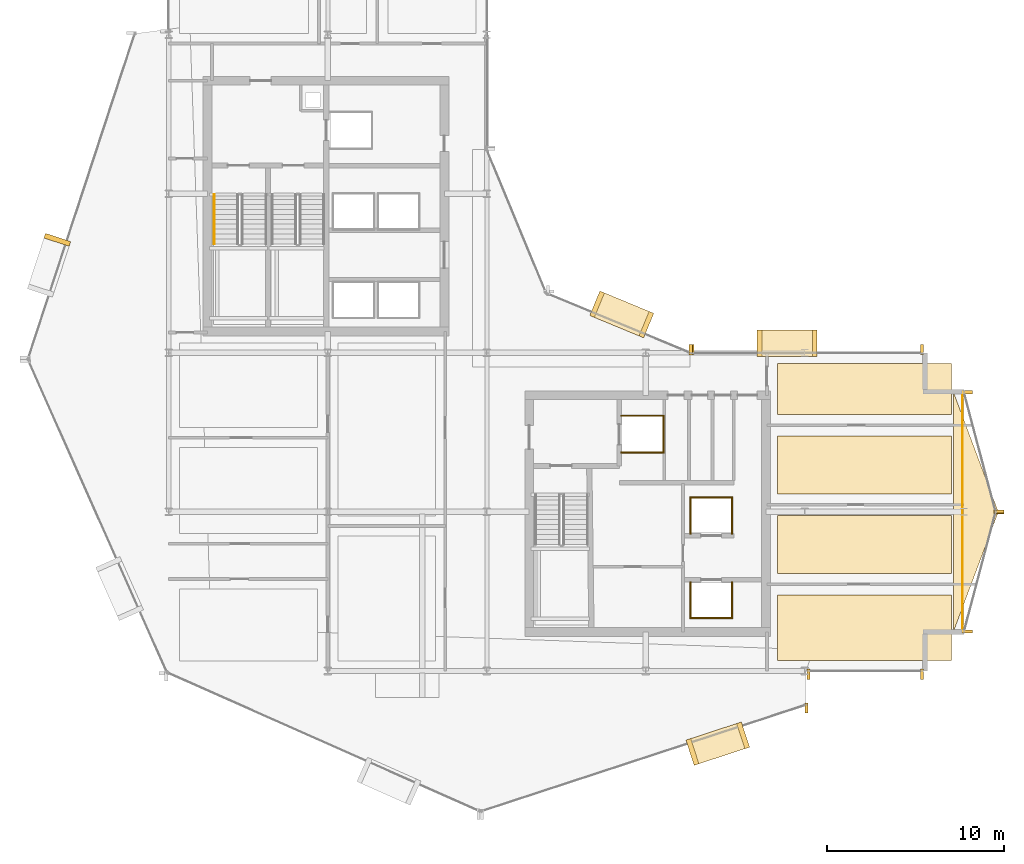
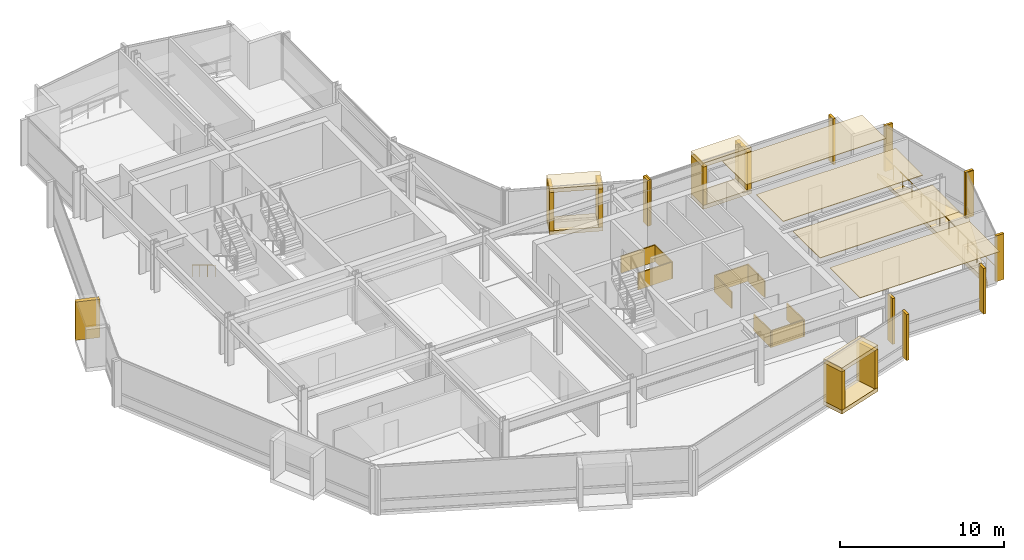
# One storey, part 28 of 29: 37 coverings, 2 railings.
"""IFC4 building model written with IfcOpenShell, lengths in metres."""

from ifc_helpers import new_model, si_unit, direction, frame, origin, origin_2d, place, context, subcontext, project, spatial, polyline, rectangle, circle, outline, extrude, material, layer, layer_set, type_object, element, save


model = new_model("IFC4")

# Units and contexts
model_context = context("Model", 3, precision=1e-05, world=origin(), true_north=direction((0.0, 1.0)))
body_context = subcontext(model_context, "Body", "Model", "MODEL_VIEW")
ifc_project = project(units=[si_unit("LENGTHUNIT", "METRE"), si_unit("AREAUNIT", "SQUARE_METRE"), si_unit("VOLUMEUNIT", "CUBIC_METRE"), si_unit("PLANEANGLEUNIT", "RADIAN"), si_unit("MASSUNIT", "GRAM", prefix="KILO")], contexts=[model_context])

# Site, building, storey
site_placement = place(None, origin())
site = spatial("IfcSite", under=ifc_project, at=site_placement, CompositionType="ELEMENT")
building_placement = place(site_placement, origin())
building = spatial("IfcBuilding", under=site, at=building_placement, Name="Solvaryn Broadcast Tower", CompositionType="ELEMENT")
storey_placement = place(building_placement, frame((0.0, 0.0, 147.0)))
storey = spatial("IfcBuildingStorey", under=building, at=storey_placement, Name="L36", CompositionType="ELEMENT", Elevation=147.0)

# Coverings
ifc_material_1 = material(Name="Micro-Perforated Acoustic Gypsum Ceiling", Category="concrete")
ifc_layer_1 = layer(ifc_material_1, 0.0400390625)
ifc_layer_set_1 = layer_set([ifc_layer_1], Name="CV-CEIL-ACOUSTIC")
covering_type_1 = type_object("IfcCoveringType", Name="CV-CEIL-ACOUSTIC", PredefinedType="CEILING", material=ifc_layer_set_1)
covering_1_placement = place(storey_placement, frame((0.0, 0.0, 3.3798828125)))
element("IfcCovering", 1, at=covering_1_placement, inside=storey, type_object=covering_type_1, Name="L36 Room Acoustic Ceiling 9", PredefinedType="CEILING", context=body_context, shape_type="SweptSolid", body=[
    extrude(outline(polyline([(43.449951171875, 9.60009765625), (53.300048828125, 9.60009765625), (53.300048828125, 13.300048828125), (43.449951171875, 13.300048828125), (43.449951171875, 9.60009765625)])), origin(), (0.0, 0.0, 1.0), 0.0400390625),
])
covering_2_placement = place(storey_placement, frame((0.0, 0.0, 3.3798828125)))
element("IfcCovering", 2, at=covering_2_placement, inside=storey, type_object=covering_type_1, Name="L36 Room Acoustic Ceiling 10", PredefinedType="CEILING", context=body_context, shape_type="SweptSolid", body=[
    extrude(outline(polyline([(43.449951171875, 14.5), (53.300048828125, 14.5), (53.300048828125, 17.800048828125), (43.449951171875, 17.800048828125), (43.449951171875, 14.5)])), origin(), (0.0, 0.0, 1.0), 0.0400390625),
])
covering_3_placement = place(storey_placement, frame((0.0, 0.0, 3.3798828125)))
element("IfcCovering", 3, at=covering_3_placement, inside=storey, type_object=covering_type_1, Name="L36 Room Acoustic Ceiling 11", PredefinedType="CEILING", context=body_context, shape_type="SweptSolid", body=[
    extrude(outline(polyline([(43.449951171875, 19.0), (53.300048828125, 19.0), (53.300048828125, 22.300048828125), (43.449951171875, 22.300048828125), (43.449951171875, 19.0)])), origin(), (0.0, 0.0, 1.0), 0.0400390625),
])
covering_4_placement = place(storey_placement, frame((0.0, 0.0, 3.3798828125)))
element("IfcCovering", 4, at=covering_4_placement, inside=storey, type_object=covering_type_1, Name="L36 Room Acoustic Ceiling 12", PredefinedType="CEILING", context=body_context, shape_type="SweptSolid", body=[
    extrude(outline(polyline([(43.449951171875, 23.5), (53.300048828125, 23.5), (53.300048828125, 26.39990234375), (43.449951171875, 26.39990234375), (43.449951171875, 23.5)])), origin(), (0.0, 0.0, 1.0), 0.0400390625),
])
ifc_material_2 = material(Name="Fire-Rated Gypsum Shaftwall Liner", Category="concrete")
ifc_layer_2 = layer(ifc_material_2, 0.080078125)
ifc_layer_set_2 = layer_set([ifc_layer_2], Name="CV-SHAFT-LINER")
covering_type_2 = type_object("IfcCoveringType", Name="CV-SHAFT-LINER", PredefinedType="CLADDING", material=ifc_layer_set_2)
for number, where, z_axis, x_axis, name in (
    (5, (35.800048828125, 23.43994140625, 0.0), (0.0, 0.0, 1.0), (1.0, 0.0, 0.0), "L36 FL2 Hoistway Shaft Liner North"),
    (6, (35.800048828125, 21.360107421875, 0.0), (0.0, 0.0, 1.0), (1.0, 0.0, 0.0), "L36 FL2 Hoistway Shaft Liner South"),
):
    element("IfcCovering", number, at=place(storey_placement, frame(where, z_axis=z_axis, x_axis=x_axis)), inside=storey, type_object=covering_type_2, Name=name, PredefinedType="CLADDING", context=body_context, shape_type="SweptSolid", body=[
        extrude(rectangle(XDim=2.4599609375, YDim=0.080078125, at=origin_2d()), origin(), (0.0, 0.0, 1.0), 1.25),
    ])
covering_5_placement = place(storey_placement, frame((36.989990234375, 22.39990234375, 0.0), z_axis=(0.0, 0.0, 1.0), x_axis=(1.0, 0.0, 0.0)))
element("IfcCovering", 7, at=covering_5_placement, inside=storey, type_object=covering_type_2, Name="L36 FL2 Hoistway Shaft Liner East", PredefinedType="CLADDING", context=body_context, shape_type="SweptSolid", body=[
    extrude(rectangle(XDim=0.080078125, YDim=2.159912109375, at=origin_2d()), origin(), (0.0, 0.0, 1.0), 1.25),
])
covering_6_placement = place(storey_placement, frame((39.699951171875, 11.985107421875, 0.0), z_axis=(0.0, 0.0, 1.0), x_axis=(1.0, 0.0, 0.0)))
element("IfcCovering", 8, at=covering_6_placement, inside=storey, type_object=covering_type_2, Name="L36 PM1 Hoistway Shaft Liner South", PredefinedType="CLADDING", context=body_context, shape_type="SweptSolid", body=[
    extrude(rectangle(XDim=2.409912109375, YDim=0.080078125, at=origin_2d()), origin(), (0.0, 0.0, 1.0), 1.25),
])
for number, where, z_axis, x_axis, name in (
    (9, (40.864990234375, 13.0, 0.0), (0.0, 0.0, 1.0), (1.0, 0.0, 0.0), "L36 PM1 Hoistway Shaft Liner East"),
    (10, (38.534912109375, 13.0, 0.0), (0.0, 0.0, 1.0), (1.0, 0.0, 0.0), "L36 PM1 Hoistway Shaft Liner West"),
):
    element("IfcCovering", number, at=place(storey_placement, frame(where, z_axis=z_axis, x_axis=x_axis)), inside=storey, type_object=covering_type_2, Name=name, PredefinedType="CLADDING", context=body_context, shape_type="SweptSolid", body=[
        extrude(rectangle(XDim=0.080078125, YDim=2.110107421875, at=origin_2d()), origin(), (0.0, 0.0, 1.0), 1.25),
    ])
covering_7_placement = place(storey_placement, frame((39.699951171875, 18.81494140625, 0.0), z_axis=(0.0, 0.0, 1.0), x_axis=(1.0, 0.0, 0.0)))
element("IfcCovering", 11, at=covering_7_placement, inside=storey, type_object=covering_type_2, Name="L36 PM2 Hoistway Shaft Liner North", PredefinedType="CLADDING", context=body_context, shape_type="SweptSolid", body=[
    extrude(rectangle(XDim=2.409912109375, YDim=0.080078125, at=origin_2d()), origin(), (0.0, 0.0, 1.0), 1.25),
])
for number, where, z_axis, x_axis, name in (
    (12, (40.864990234375, 17.800048828125, 0.0), (0.0, 0.0, 1.0), (1.0, 0.0, 0.0), "L36 PM2 Hoistway Shaft Liner East"),
    (13, (38.534912109375, 17.800048828125, 0.0), (0.0, 0.0, 1.0), (1.0, 0.0, 0.0), "L36 PM2 Hoistway Shaft Liner West"),
):
    element("IfcCovering", number, at=place(storey_placement, frame(where, z_axis=z_axis, x_axis=x_axis)), inside=storey, type_object=covering_type_2, Name=name, PredefinedType="CLADDING", context=body_context, shape_type="SweptSolid", body=[
        extrude(rectangle(XDim=0.080078125, YDim=2.110107421875, at=origin_2d()), origin(), (0.0, 0.0, 1.0), 1.25),
    ])
ifc_material_3 = material(Name="Glazed Architectural Terracotta Rainscreen Cladding", Category="masonry")
ifc_layer_3 = layer(ifc_material_3, 0.280029296875)
ifc_layer_set_3 = layer_set([ifc_layer_3], Name="CV-TC-CLAD")
covering_type_3 = type_object("IfcCoveringType", Name="CV-TC-CLAD", PredefinedType="CLADDING", material=ifc_layer_set_3)
covering_8_placement = place(storey_placement, frame((2.693603515625, 33.396728515625, 0.27978515625), z_axis=(0.0, 0.0, 1.0), x_axis=(-0.311671636848, -0.950189870912, 0.0)))
element("IfcCovering", 14, at=covering_8_placement, inside=storey, type_object=covering_type_3, Name="L36 Projecting Stone Window Box Cheek 1-1", PredefinedType="CLADDING", context=body_context, shape_type="SweptSolid", body=[
    extrude(rectangle(XDim=0.280029296875, YDim=1.5, at=origin_2d()), origin(), (0.0, 0.0, 1.0), 2.860107421875),
])
for number, where, z_axis, x_axis, name in (
    (15, (40.071044921875, 4.883056640625, 3.1298828125), (0.0, 0.0, 1.0), (0.950189870912, 0.311671636848, 0.0), "L36 Projecting Stone Window Box Hood 4"),
    (16, (40.071044921875, 4.883056640625, -0.01025390625), (0.0, 0.0, 1.0), (0.950189870912, 0.311671636848, 0.0), "L36 Projecting Stone Window Box Sill 4"),
):
    element("IfcCovering", number, at=place(storey_placement, frame(where, z_axis=z_axis, x_axis=x_axis)), inside=storey, type_object=covering_type_3, Name=name, PredefinedType="CLADDING", context=body_context, shape_type="SweptSolid", body=[
        extrude(rectangle(XDim=3.300048828125, YDim=1.5, at=origin_2d()), origin(), (0.0, 0.0, 1.0), 0.300048828125),
    ])
for number, where, z_axis, x_axis, name in (
    (17, (38.63623046875, 4.412353515625, 0.27978515625), (0.0, 0.0, 1.0), (0.950189870912, 0.311671636848, 0.0), "L36 Projecting Stone Window Box Cheek 4-1"),
    (18, (41.505859375, 5.353515625, 0.27978515625), (0.0, 0.0, 1.0), (0.950189870912, 0.311671636848, 0.0), "L36 Projecting Stone Window Box Cheek 4-2"),
):
    element("IfcCovering", number, at=place(storey_placement, frame(where, z_axis=z_axis, x_axis=x_axis)), inside=storey, type_object=covering_type_3, Name=name, PredefinedType="CLADDING", context=body_context, shape_type="SweptSolid", body=[
        extrude(rectangle(XDim=0.280029296875, YDim=1.5, at=origin_2d()), origin(), (0.0, 0.0, 1.0), 2.860107421875),
    ])
for number, where, z_axis, x_axis, name in (
    (19, (34.636962890625, 29.174072265625, 3.1298828125), (0.0, 0.0, 1.0), (-0.923879532511, 0.382683432365, 0.0), "L36 Projecting Stone Window Box Hood 5"),
    (20, (34.636962890625, 29.174072265625, -0.01025390625), (0.0, 0.0, 1.0), (-0.923879532511, 0.382683432365, 0.0), "L36 Projecting Stone Window Box Sill 5"),
):
    element("IfcCovering", number, at=place(storey_placement, frame(where, z_axis=z_axis, x_axis=x_axis)), inside=storey, type_object=covering_type_3, Name=name, PredefinedType="CLADDING", context=body_context, shape_type="SweptSolid", body=[
        extrude(rectangle(XDim=3.300048828125, YDim=1.5, at=origin_2d()), origin(), (0.0, 0.0, 1.0), 0.300048828125),
    ])
for number, where, z_axis, x_axis, name in (
    (21, (36.031982421875, 28.59619140625, 0.27978515625), (0.0, 0.0, 1.0), (-0.923879532511, 0.382683432365, 0.0), "L36 Projecting Stone Window Box Cheek 5-1"),
    (22, (33.241943359375, 29.751953125, 0.27978515625), (0.0, 0.0, 1.0), (-0.923879532511, 0.382683432365, 0.0), "L36 Projecting Stone Window Box Cheek 5-2"),
):
    element("IfcCovering", number, at=place(storey_placement, frame(where, z_axis=z_axis, x_axis=x_axis)), inside=storey, type_object=covering_type_3, Name=name, PredefinedType="CLADDING", context=body_context, shape_type="SweptSolid", body=[
        extrude(rectangle(XDim=0.280029296875, YDim=1.5, at=origin_2d()), origin(), (0.0, 0.0, 1.0), 2.860107421875),
    ])
for number, where, z_axis, x_axis, name in (
    (23, (44.0, 27.530029296875, 3.1298828125), (0.0, 0.0, 1.0), (1.0, 0.0, 0.0), "L36 Projecting Stone Window Box Hood 6"),
    (24, (44.0, 27.530029296875, -0.01025390625), (0.0, 0.0, 1.0), (1.0, 0.0, 0.0), "L36 Projecting Stone Window Box Sill 6"),
):
    element("IfcCovering", number, at=place(storey_placement, frame(where, z_axis=z_axis, x_axis=x_axis)), inside=storey, type_object=covering_type_3, Name=name, PredefinedType="CLADDING", context=body_context, shape_type="SweptSolid", body=[
        extrude(rectangle(XDim=3.39990234375, YDim=1.5, at=origin_2d()), origin(), (0.0, 0.0, 1.0), 0.300048828125),
    ])
for number, where, z_axis, x_axis, name in (
    (25, (42.43994140625, 27.530029296875, 0.27978515625), (0.0, 0.0, 1.0), (1.0, 0.0, 0.0), "L36 Projecting Stone Window Box Cheek 6-1"),
    (26, (45.56005859375, 27.530029296875, 0.27978515625), (0.0, 0.0, 1.0), (1.0, 0.0, 0.0), "L36 Projecting Stone Window Box Cheek 6-2"),
):
    element("IfcCovering", number, at=place(storey_placement, frame(where, z_axis=z_axis, x_axis=x_axis)), inside=storey, type_object=covering_type_3, Name=name, PredefinedType="CLADDING", context=body_context, shape_type="SweptSolid", body=[
        extrude(rectangle(XDim=0.280029296875, YDim=1.5, at=origin_2d()), origin(), (0.0, 0.0, 1.0), 2.860107421875),
    ])
ifc_material_4 = material(Name="Extruded Architectural Terracotta Fin", Category="masonry")
ifc_layer_4 = layer(ifc_material_4, 0.179931640625)
ifc_layer_set_4 = layer_set([ifc_layer_4], Name="CV-TC-FIN")
covering_type_4 = type_object("IfcCoveringType", Name="CV-TC-FIN", PredefinedType="USERDEFINED", material=ifc_layer_set_4)
for number, where, z_axis, x_axis, name in (
    (27, (45.0947265625, 6.898681640625, 0.0), (0.0, 0.0, 1.0), (1.0, 0.0, 0.0), "L36 Terracotta Vertical Fin FIN-L36-DR4-M01"),
    (28, (38.541259765625, 27.177978515625, 0.0), (0.0, 0.0, 1.0), (1.0, 0.0, 0.0), "L36 Terracotta Vertical Fin FIN-L36-CN1-M00"),
    (29, (45.197021484375, 8.8125, 0.0), (0.0, 0.0, 1.0), (1.0, 0.0, 0.0), "L36 Terracotta Vertical Fin FIN-L36-S2-M00"),
    (30, (51.6201171875, 8.8125, 0.0), (0.0, 0.0, 1.0), (1.0, 0.0, 0.0), "L36 Terracotta Vertical Fin FIN-L36-S2-M01"),
):
    element("IfcCovering", number, at=place(storey_placement, frame(where, z_axis=z_axis, x_axis=x_axis)), inside=storey, type_object=covering_type_4, Name=name, ObjectType="FIN", PredefinedType="USERDEFINED", context=body_context, shape_type="SweptSolid", body=[
        extrude(rectangle(XDim=0.179931640625, YDim=0.580078125, at=origin_2d()), origin(), (0.0, 0.0, 1.0), 3.419921875),
    ])
for number, where, z_axis, x_axis, name in (
    (31, (54.1953125, 24.77099609375, 0.0), (0.0, 0.0, 1.0), (1.0, 0.0, 0.0), "L36 Terracotta Vertical Fin FIN-L36-ET1-M00"),
    (32, (55.979736328125, 18.029052734375, 0.0), (0.0, 0.0, 1.0), (1.0, 0.0, 0.0), "L36 Terracotta Vertical Fin FIN-L36-ET1-M01"),
    (33, (55.979736328125, 17.970947265625, 0.0), (0.0, 0.0, 1.0), (1.0, 0.0, 0.0), "L36 Terracotta Vertical Fin FIN-L36-ET2-M00"),
    (34, (54.1953125, 11.22900390625, 0.0), (0.0, 0.0, 1.0), (1.0, 0.0, 0.0), "L36 Terracotta Vertical Fin FIN-L36-ET2-M01"),
):
    element("IfcCovering", number, at=place(storey_placement, frame(where, z_axis=z_axis, x_axis=x_axis)), inside=storey, type_object=covering_type_4, Name=name, ObjectType="FIN", PredefinedType="USERDEFINED", context=body_context, shape_type="SweptSolid", body=[
        extrude(rectangle(XDim=0.580078125, YDim=0.179931640625, at=origin_2d()), origin(), (0.0, 0.0, 1.0), 3.419921875),
    ])
for number, where, z_axis, x_axis, name in (
    (35, (38.6298828125, 27.1875, 0.0), (0.0, 0.0, 1.0), (1.0, 0.0, 0.0), "L36 Terracotta Vertical Fin FIN-L36-IH-M00"),
    (36, (51.6201171875, 27.1875, 0.0), (0.0, 0.0, 1.0), (1.0, 0.0, 0.0), "L36 Terracotta Vertical Fin FIN-L36-IH-M01"),
):
    element("IfcCovering", number, at=place(storey_placement, frame(where, z_axis=z_axis, x_axis=x_axis)), inside=storey, type_object=covering_type_4, Name=name, ObjectType="FIN", PredefinedType="USERDEFINED", context=body_context, shape_type="SweptSolid", body=[
        extrude(rectangle(XDim=0.179931640625, YDim=0.580078125, at=origin_2d()), origin(), (0.0, 0.0, 1.0), 3.419921875),
    ])
ifc_material_5 = material(Name="Sculpted Architectural Terracotta Wave Fascia", Category="masonry")
ifc_layer_5 = layer(ifc_material_5, 0.340087890625)
ifc_layer_set_5 = layer_set([ifc_layer_5], Name="CV-WAVE-TRAY")
covering_type_5 = type_object("IfcCoveringType", Name="CV-WAVE-TRAY", PredefinedType="CLADDING", material=ifc_layer_set_5)
covering_9_placement = place(storey_placement, frame((0.0, 0.0, -0.300048828125)))
element("IfcCovering", 37, at=covering_9_placement, inside=storey, type_object=covering_type_5, Name="L36 East Curved Wing Deck", PredefinedType="CLADDING", context=body_context, shape_type="SweptSolid", body=[
    extrude(outline(polyline([(53.39990234375, 11.199951171875), (55.949951171875, 18.0), (53.39990234375, 24.800048828125), (53.39990234375, 11.199951171875)])), origin(), (0.0, 0.0, 1.0), 0.330078125),
])

# Railings
ifc_material_6 = material(Name="Brushed Stainless Steel Tubular Handrail", Category="steel")
railing_type_1 = type_object("IfcRailingType", Name="RL-STAIR-HANDRAIL", PredefinedType="HANDRAIL", material=ifc_material_6)
railing_1_placement = place(storey_placement, frame((11.570068359375, 35.9599609375, 0.168212890625)))
element("IfcRailing", 38, at=railing_1_placement, inside=storey, type_object=railing_type_1, Name="L36 ST1 stair handrail 1", PredefinedType="HANDRAIL", context=body_context, shape_type="SweptSolid", body=[
    extrude(circle(Radius=0.02392578125, at=origin_2d()), frame((0.0, 0.0, 0.8759765625), z_axis=(0.0, -0.857242210791, 0.514913383045), x_axis=(1.0, 0.0, 0.0)), (0.0, 0.0, 1.0), 3.266357421875),
    extrude(circle(Radius=0.02099609375, at=origin_2d()), origin(), (0.0, 0.0, 1.0), 0.851806640625),
    extrude(circle(Radius=0.02099609375, at=origin_2d()), frame((0.0, -0.933349609375, 0.560546875)), (0.0, 0.0, 1.0), 0.851806640625),
    extrude(circle(Radius=0.02099609375, at=origin_2d()), frame((0.0, -1.86669921875, 1.121337890625)), (0.0, 0.0, 1.0), 0.851806640625),
    extrude(circle(Radius=0.02099609375, at=origin_2d()), frame((0.0, -2.800048828125, 1.681884765625)), (0.0, 0.0, 1.0), 0.851806640625),
])
ifc_material_7 = material(Name="Stainless Steel and Laminated Glass Guard", Category="steel")
railing_type_2 = type_object("IfcRailingType", Name="RL-TER-1150", PredefinedType="BALUSTRADE", material=ifc_material_7)
railing_2_placement = place(storey_placement, frame((53.919921875, 11.199951171875, 0.0)))
element("IfcRailing", 39, at=railing_2_placement, inside=storey, type_object=railing_type_2, Name="L36 East Wing Spandrel Edge Guard", PredefinedType="BALUSTRADE", context=body_context, shape_type="SweptSolid", body=[
    extrude(circle(Radius=0.02392578125, at=origin_2d()), frame((0.0, 0.0, 1.1259765625), z_axis=(0.0, 1.0, 0.0), x_axis=(-1.0, 0.0, 0.0)), (0.0, 0.0, 1.0), 13.60009765625),
    extrude(circle(Radius=0.02099609375, at=origin_2d()), origin(), (0.0, 0.0, 1.0), 1.101806640625),
    extrude(circle(Radius=0.02099609375, at=origin_2d()), frame((0.0, 1.13330078125, 0.0)), (0.0, 0.0, 1.0), 1.101806640625),
    extrude(circle(Radius=0.02099609375, at=origin_2d()), frame((0.0, 2.2666015625, 0.0)), (0.0, 0.0, 1.0), 1.101806640625),
    extrude(circle(Radius=0.02099609375, at=origin_2d()), frame((0.0, 3.39990234375, 0.0)), (0.0, 0.0, 1.0), 1.101806640625),
    extrude(circle(Radius=0.02099609375, at=origin_2d()), frame((0.0, 4.533447265625, 0.0)), (0.0, 0.0, 1.0), 1.101806640625),
    extrude(circle(Radius=0.02099609375, at=origin_2d()), frame((0.0, 5.666748046875, 0.0)), (0.0, 0.0, 1.0), 1.101806640625),
    extrude(circle(Radius=0.02099609375, at=origin_2d()), frame((0.0, 6.800048828125, 0.0)), (0.0, 0.0, 1.0), 1.101806640625),
    extrude(circle(Radius=0.02099609375, at=origin_2d()), frame((0.0, 7.933349609375, 0.0)), (0.0, 0.0, 1.0), 1.101806640625),
    extrude(circle(Radius=0.02099609375, at=origin_2d()), frame((0.0, 9.066650390625, 0.0)), (0.0, 0.0, 1.0), 1.101806640625),
    extrude(circle(Radius=0.02099609375, at=origin_2d()), frame((0.0, 10.2001953125, 0.0)), (0.0, 0.0, 1.0), 1.101806640625),
    extrude(circle(Radius=0.02099609375, at=origin_2d()), frame((0.0, 11.33349609375, 0.0)), (0.0, 0.0, 1.0), 1.101806640625),
    extrude(circle(Radius=0.02099609375, at=origin_2d()), frame((0.0, 12.466796875, 0.0)), (0.0, 0.0, 1.0), 1.101806640625),
    extrude(circle(Radius=0.02099609375, at=origin_2d()), frame((0.0, 13.60009765625, 0.0)), (0.0, 0.0, 1.0), 1.101806640625),
])

save(model, "model.ifc")
